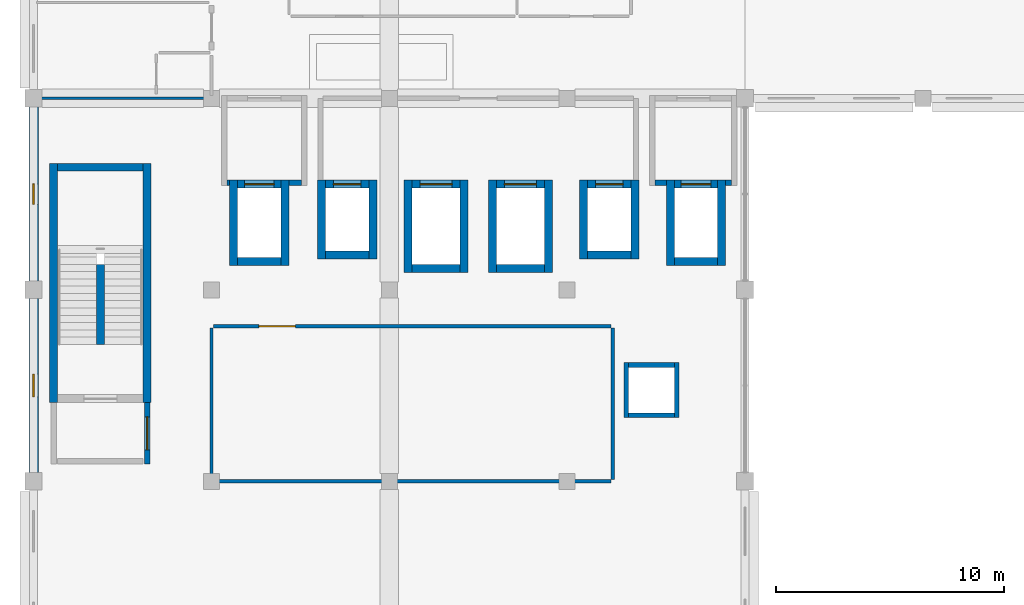
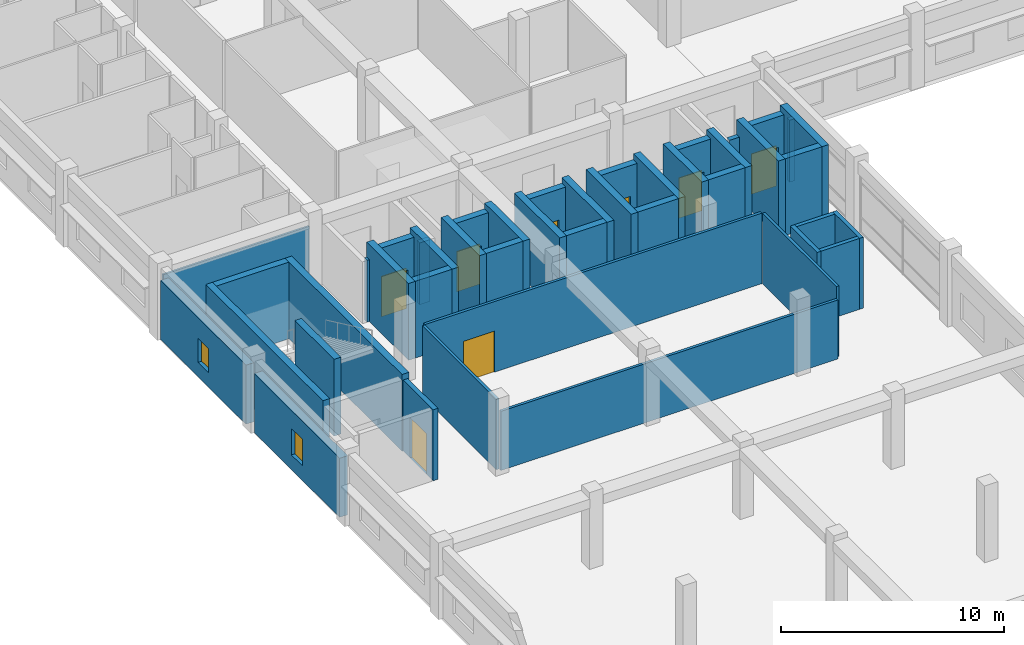
# One storey, part 28 of 53: 44 walls, 8 doors, 2 windows, 10 openings.
"""IFC4 building model written with IfcOpenShell, lengths in metres."""

import ifcopenshell
import ifcopenshell.guid

model = None  # the IFC model being written
_history = None  # IfcOwnerHistory: only IFC2X3 demands one
_inside = {}  # id of a spatial element -> (the spatial element, [elements in it])
_under = {}  # id of a project, library or spatial element -> (it, [spatial elements below it])
_declared = {}  # id of a project -> (the project, [libraries it declares])
_typed = {}  # id of a type object -> (the type object, [elements of that type])
_made_of = {}  # id of a material, layer set ... -> (it, [elements and type objects made of it])


def new_model(schema):
    """Start an empty IFC model of exactly this schema.

    Asked for "IFC4X3", IfcOpenShell would pick the latest addendum, in which some entities
    have other attributes; the version numbers below select the first issue.
    IFC2X3 requires an IfcOwnerHistory on every rooted entity: one is made here for all.
    """
    global model, _history
    if schema == "IFC4X3":
        model = ifcopenshell.file(schema_version=(4, 3, 0, 0))
    else:
        model = ifcopenshell.file(schema=schema)
    _inside.clear()
    _under.clear()
    _declared.clear()
    _typed.clear()
    _made_of.clear()
    _history = None
    if model.schema == "IFC2X3":
        org = make("IfcOrganization", Name="unknown")
        user = make(
            "IfcPersonAndOrganization",
            ThePerson=make("IfcPerson", FamilyName="unknown"),
            TheOrganization=org,
        )
        app = make(
            "IfcApplication",
            ApplicationDeveloper=org,
            Version="unknown",
            ApplicationFullName="unknown",
            ApplicationIdentifier="unknown",
        )
        _history = make(
            "IfcOwnerHistory",
            OwningUser=user,
            OwningApplication=app,
            ChangeAction="ADDED",
            CreationDate=0,
        )
    return model


def make(cls, **values):
    """One entity of the class cls with the attributes given. An attribute that is None is left unset."""
    return model.create_entity(
        cls, **{name: value for name, value in values.items() if value is not None}
    )


def rooted(cls, **values):
    """An entity with a GlobalId (a new one), such as an element, a storey or a relation."""
    return make(cls, GlobalId=ifcopenshell.guid.new(), OwnerHistory=_history, **values)


def si_unit(unit_type, name, prefix=None):
    """IfcSIUnit, for example si_unit("LENGTHUNIT", "METRE", prefix="MILLI")."""
    return make("IfcSIUnit", UnitType=unit_type, Prefix=prefix, Name=name)


def assignment(units):
    """IfcUnitAssignment: the units of a project."""
    return None if units is None else make("IfcUnitAssignment", Units=units)


def point(xyz):
    """IfcCartesianPoint."""
    return None if xyz is None else make("IfcCartesianPoint", Coordinates=xyz)


def direction(xyz):
    """IfcDirection."""
    return None if xyz is None else make("IfcDirection", DirectionRatios=xyz)


def frame(location, z_axis=None, x_axis=None):
    """IfcAxis2Placement3D, a coordinate frame: its origin and axes. An axis left out is left unset."""
    return make(
        "IfcAxis2Placement3D",
        Location=point(location),
        Axis=direction(z_axis),
        RefDirection=direction(x_axis),
    )


def frame_2d(location, x_axis=None):
    """IfcAxis2Placement2D, a coordinate frame in the plane: its origin and x axis."""
    return make(
        "IfcAxis2Placement2D", Location=point(location), RefDirection=direction(x_axis)
    )


def origin():
    """The frame at (0, 0, 0) with its axes left unset."""
    return frame((0.0, 0.0, 0.0))


def place(relative_to, where):
    """IfcLocalPlacement: puts the frame where relative to a parent placement (None: the world)."""
    return make(
        "IfcLocalPlacement", PlacementRelTo=relative_to, RelativePlacement=where
    )


def context(
    kind, dimensions, precision=None, world=None, true_north=None, identifier=None
):
    """IfcGeometricRepresentationContext, for example the 3D "Model" context."""
    return make(
        "IfcGeometricRepresentationContext",
        ContextIdentifier=identifier,
        ContextType=kind,
        CoordinateSpaceDimension=dimensions,
        Precision=precision,
        WorldCoordinateSystem=world,
        TrueNorth=true_north,
    )


def subcontext(parent, identifier, kind, view, scale=None):
    """IfcGeometricRepresentationSubContext, for example "Body" below "Model"."""
    return make(
        "IfcGeometricRepresentationSubContext",
        ContextIdentifier=identifier,
        ContextType=kind,
        ParentContext=parent,
        TargetScale=scale,
        TargetView=view,
    )


def project(units=None, contexts=None):
    """IfcProject with its units and contexts."""
    return rooted(
        "IfcProject",
        Name="project",
        RepresentationContexts=contexts,
        UnitsInContext=assignment(units),
    )


def spatial(cls, under=None, at=None, **own):
    """A site, building, storey or space (cls), placed at a placement, below another one or the project."""
    s = rooted(cls, ObjectPlacement=at, **own)
    if under is not None:
        _under.setdefault(under.id(), (under, []))[1].append(s)
    return s


def profile(cls, at=None, kind="AREA", **sizes):
    """A parametric profile (cls). Its sizes go by their IFC names, for example OverallWidth=200.0."""
    return make(cls, ProfileType=kind, Position=at, **sizes)


def rectangle(**sizes):
    """IfcRectangleProfileDef."""
    return profile("IfcRectangleProfileDef", **sizes)


def extrude(swept, where, along, depth):
    """IfcExtrudedAreaSolid: the profile swept, set in the frame where, extruded along a direction by depth."""
    return make(
        "IfcExtrudedAreaSolid",
        SweptArea=swept,
        Position=where,
        ExtrudedDirection=direction(along),
        Depth=depth,
    )


def shape(context_of_items, identifier, shape_type, items):
    """IfcShapeRepresentation: the items that make up one representation, for example the "Body"."""
    return make(
        "IfcShapeRepresentation",
        ContextOfItems=context_of_items,
        RepresentationIdentifier=identifier,
        RepresentationType=shape_type,
        Items=items,
    )


def material(Name=None, Category=None):
    """IfcMaterial."""
    return make("IfcMaterial", Name=Name, Category=Category)


def layer(
    of_material, thickness, ventilated=None, Name=None, Category=None, Priority=None
):
    """IfcMaterialLayer: one layer of a wall or slab, of a material (None: an air gap)."""
    return make(
        "IfcMaterialLayer",
        Material=of_material,
        LayerThickness=thickness,
        IsVentilated=ventilated,
        Name=Name,
        Category=Category,
        Priority=Priority,
    )


def layer_set(layers, Name=None):
    """IfcMaterialLayerSet."""
    return make("IfcMaterialLayerSet", MaterialLayers=layers, LayerSetName=Name)


def made_of(thing, what):
    """Note that an element or type object is made of a material, layer set ...; save() writes the relation."""
    if what is not None:
        _made_of.setdefault(what.id(), (what, []))[1].append(thing)
    return thing


def type_object(cls, material=None, **own):
    """A type object (cls), such as IfcWallType, which elements share."""
    return made_of(rooted(cls, **own), material)


def element(
    cls,
    number,
    at=None,
    inside=None,
    cuts=None,
    type_object=None,
    material=None,
    context=None,
    identifier="Body",
    shape_type=None,
    held_by="IfcProductDefinitionShape",
    body=None,
    shapes=None,
    **own,
):
    """One element of the class cls, such as IfcWall. Its Tag is "e" and its number.

    at: its placement. inside: the storey or other place that contains it. cuts: it is an
    opening in that element (IfcRelVoidsElement). A single representation is given by context,
    identifier, shape_type and body (its items); several are given by shapes. held_by: the class
    of the entity that holds the representations. save() writes the other relations.
    """
    e = rooted(cls, Tag="e%d" % number, ObjectPlacement=at, **own)
    if body is not None:
        shapes = [shape(context, identifier, shape_type, body)]
    if shapes is not None:
        e.Representation = make(held_by, Representations=shapes)
    if inside is not None:
        _inside.setdefault(inside.id(), (inside, []))[1].append(e)
    if cuts is not None:
        rooted(
            "IfcRelVoidsElement", RelatingBuildingElement=cuts, RelatedOpeningElement=e
        )
    if type_object is not None:
        _typed.setdefault(type_object.id(), (type_object, []))[1].append(e)
    return made_of(e, material)


def fill(opening, filler):
    """IfcRelFillsElement: the door or window that sits in an opening."""
    return rooted(
        "IfcRelFillsElement",
        RelatingOpeningElement=opening,
        RelatedBuildingElement=filler,
    )


def aggregate(whole, parts):
    """IfcRelAggregates: a whole, such as a stair, and the parts it consists of."""
    return rooted("IfcRelAggregates", RelatingObject=whole, RelatedObjects=parts)


def save(model, path):
    """Write the relations noted so far, then the file.

    IfcRelAggregates (storeys below a building ...), IfcRelContainedInSpatialStructure (elements
    in a storey), IfcRelDefinesByType, IfcRelAssociatesMaterial and IfcRelDeclares: one each for
    every whole, place, type object, material and project.
    """
    for whole, parts in _under.values():
        aggregate(whole, parts)
    for where, things in _inside.values():
        rooted(
            "IfcRelContainedInSpatialStructure",
            RelatedElements=things,
            RelatingStructure=where,
        )
    for kind, things in _typed.values():
        rooted("IfcRelDefinesByType", RelatedObjects=things, RelatingType=kind)
    for what, things in _made_of.values():
        rooted("IfcRelAssociatesMaterial", RelatedObjects=things, RelatingMaterial=what)
    for by, libraries in _declared.values():
        rooted("IfcRelDeclares", RelatingContext=by, RelatedDefinitions=libraries)
    model.write(path)


model = new_model("IFC4")

# Units and contexts
model_context = context("Model", 3, precision=1e-05, world=origin(), true_north=direction((0.0, 1.0)))
body_context = subcontext(model_context, "Body", "Model", "MODEL_VIEW")
ifc_project = project(units=[si_unit("LENGTHUNIT", "METRE"), si_unit("AREAUNIT", "SQUARE_METRE"), si_unit("VOLUMEUNIT", "CUBIC_METRE"), si_unit("PLANEANGLEUNIT", "RADIAN"), si_unit("MASSUNIT", "GRAM", prefix="KILO"), si_unit("THERMODYNAMICTEMPERATUREUNIT", "KELVIN"), si_unit("POWERUNIT", "WATT")], contexts=[model_context])

# Site, building, storey
site_placement = place(None, origin())
site = spatial("IfcSite", under=ifc_project, at=site_placement, CompositionType="ELEMENT")
building_placement = place(site_placement, origin())
building = spatial("IfcBuilding", under=site, at=building_placement, Name="Srebrne Nadtorze General Hospital", CompositionType="ELEMENT")
storey_placement = place(building_placement, frame((0.0, 0.0, 18.0)))
storey = spatial("IfcBuildingStorey", under=building, at=storey_placement, Name="L04", CompositionType="ELEMENT", Elevation=18.0)

# Wall, opening, window
ifc_material_1 = material(Name="Concrete C40/50", Category="concrete")
ifc_layer_1 = layer(ifc_material_1, 0.419921875)
ifc_layer_set_1 = layer_set([ifc_layer_1], Name="Concrete C40/50")
wall_type_1 = type_object("IfcWallType", Name="Acoustic buffer wall 420", PredefinedType="SOLIDWALL", material=ifc_layer_set_1)
wall_1_placement = place(storey_placement, frame((23.39990234375, 33.97509765625, 0.0), z_axis=(0.0, 0.0, 1.0), x_axis=(0.0, 1.0, 0.0)))
wall_1 = element("IfcWall", 1, at=wall_1_placement, inside=storey, type_object=wall_type_1, Name="Exterior wall WL-ENV-L04-0379", PredefinedType="SOLIDWALL", context=body_context, shape_type="SweptSolid", body=[
    extrude(rectangle(XDim=7.64990234375, YDim=0.419921875, at=frame_2d((3.824951171875, 0.0))), origin(), (0.0, 0.0, 1.0), 3.235107421875),
])
opening_1_placement = place(wall_1_placement, frame((3.324951171875, 0.0, 0.800048828125)))
opening_1 = element("IfcOpeningElement", 2, at=opening_1_placement, cuts=wall_1, Name="Opening WN-L04-0581", PredefinedType="OPENING", context=body_context, shape_type="SweptSolid", body=[
    extrude(rectangle(XDim=1.0, YDim=1.449951171875, at=frame_2d((0.5, 0.72509765625))), frame((0.0, 0.221923828125, 0.0), z_axis=(0.0, -1.0, 0.0), x_axis=(1.0, 0.0, 0.0)), (0.0, 0.0, 1.0), 0.44384765625),
])
ifc_material_2 = material(Name="Triple Low-E Glazing", Category="glass")
window_type_1 = type_object("IfcWindowType", Name="Punched clinical window 1000x1450", PartitioningType="SINGLE_PANEL", PredefinedType="WINDOW", material=ifc_material_2)
window_1_placement = place(opening_1_placement, origin())
window_1 = element("IfcWindow", 3, at=window_1_placement, inside=storey, type_object=window_type_1, Name="Clinical window WN-L04-0581", OverallHeight=1.449951171875, OverallWidth=1.0, PartitioningType="SINGLE_PANEL", PredefinedType="WINDOW", context=body_context, shape_type="SweptSolid", body=[
    extrude(rectangle(XDim=1.0, YDim=1.449951171875, at=frame_2d((0.5, 0.72509765625))), frame((0.0, 0.030029296875, 0.0), z_axis=(0.0, -1.0, 0.0), x_axis=(1.0, 0.0, 0.0)), (0.0, 0.0, 1.0), 0.06005859375),
])
fill(opening_1, window_1)

wall_2_placement = place(storey_placement, frame((23.39990234375, 42.375, 0.0), z_axis=(0.0, 0.0, 1.0), x_axis=(0.0, 1.0, 0.0)))
wall_2 = element("IfcWall", 4, at=wall_2_placement, inside=storey, type_object=wall_type_1, Name="Exterior wall WL-ENV-L04-0380", PredefinedType="SOLIDWALL", context=body_context, shape_type="SweptSolid", body=[
    extrude(rectangle(XDim=7.64990234375, YDim=0.419921875, at=frame_2d((3.824951171875, 0.0))), origin(), (0.0, 0.0, 1.0), 3.235107421875),
])
opening_2_placement = place(wall_2_placement, frame((3.375, 0.0, 0.800048828125)))
opening_2 = element("IfcOpeningElement", 5, at=opening_2_placement, cuts=wall_2, Name="Opening WN-L04-0582", PredefinedType="OPENING", context=body_context, shape_type="SweptSolid", body=[
    extrude(rectangle(XDim=0.89990234375, YDim=1.300048828125, at=frame_2d((0.449951171875, 0.64990234375))), frame((0.0, 0.221923828125, 0.0), z_axis=(0.0, -1.0, 0.0), x_axis=(1.0, 0.0, 0.0)), (0.0, 0.0, 1.0), 0.44384765625),
])
ifc_material_3 = material(Name="Triple Low-E Glazing", Category="glass")
window_type_2 = type_object("IfcWindowType", Name="Punched clinical window 900x1300", PartitioningType="SINGLE_PANEL", PredefinedType="WINDOW", material=ifc_material_3)
window_2_placement = place(opening_2_placement, origin())
window_2 = element("IfcWindow", 6, at=window_2_placement, inside=storey, type_object=window_type_2, Name="Clinical window WN-L04-0582", OverallHeight=1.300048828125, OverallWidth=0.89990234375, PartitioningType="SINGLE_PANEL", PredefinedType="WINDOW", context=body_context, shape_type="SweptSolid", body=[
    extrude(rectangle(XDim=0.89990234375, YDim=1.300048828125, at=frame_2d((0.449951171875, 0.64990234375))), frame((0.0, 0.030029296875, 0.0), z_axis=(0.0, -1.0, 0.0), x_axis=(1.0, 0.0, 0.0)), (0.0, 0.0, 1.0), 0.06005859375),
])
fill(opening_2, window_2)

# Wall, opening, door
ifc_material_4 = material(Name="Gypsum Healthcare Partition")
ifc_layer_2 = layer(ifc_material_4, 0.139892578125)
ifc_layer_set_2 = layer_set([ifc_layer_2], Name="Gypsum Healthcare Partition")
wall_type_2 = type_object("IfcWallType", Name="Clinical partition 140", PredefinedType="PARTITIONING", material=ifc_layer_set_2)
wall_3_placement = place(storey_placement, frame((31.284912109375, 40.39990234375, 0.0), z_axis=(0.0, 0.0, 1.0), x_axis=(1.0, 0.0, 0.0)))
wall_3 = element("IfcWall", 7, at=wall_3_placement, inside=storey, type_object=wall_type_2, Name="Ward Procedure and Day Lounge wall WL-INT-L04-1832", PredefinedType="PARTITIONING", context=body_context, shape_type="SweptSolid", body=[
    extrude(rectangle(XDim=17.43017578125, YDim=0.139892578125, at=frame_2d((8.715087890625, 0.0))), origin(), (0.0, 0.0, 1.0), 3.864990234375),
])
opening_3_placement = place(wall_3_placement, frame((1.991943359375, 0.0, 0.0)))
opening_3 = element("IfcOpeningElement", 8, at=opening_3_placement, cuts=wall_3, Name="Opening D-L04-0347", PredefinedType="OPENING", context=body_context, shape_type="SweptSolid", body=[
    extrude(rectangle(XDim=1.60009765625, YDim=2.25, at=frame_2d((0.800048828125, 1.125))), frame((0.0, 0.08203125, 0.0), z_axis=(0.0, -1.0, 0.0), x_axis=(1.0, 0.0, 0.0)), (0.0, 0.0, 1.0), 0.163818359375),
])
ifc_material_5 = material(Name="Anodised Aluminium", Category="aluminium")
door_type_1 = type_object("IfcDoorType", Name="Double leaf door 1600x2250", OperationType="DOUBLE_DOOR_SINGLE_SWING", PredefinedType="DOOR", material=ifc_material_5)
door_1_placement = place(opening_3_placement, frame((1.60009765625, 0.0, 0.0), z_axis=(0.0, 0.0, 1.0), x_axis=(-1.0, 0.0, 0.0)))
door_1 = element("IfcDoor", 9, at=door_1_placement, inside=storey, type_object=door_type_1, Name="Ward Procedure and Day Lounge door D-L04-0347", OperationType="DOUBLE_DOOR_SINGLE_SWING", OverallHeight=2.25, OverallWidth=1.60009765625, PredefinedType="DOOR", context=body_context, shape_type="SweptSolid", body=[
    extrude(rectangle(XDim=1.60009765625, YDim=2.25, at=frame_2d((0.800048828125, 1.125))), frame((0.0, 0.02490234375, 0.0), z_axis=(0.0, -1.0, 0.0), x_axis=(1.0, 0.0, 0.0)), (0.0, 0.0, 1.0), 0.050048828125),
])
fill(opening_3, door_1)

# Walls
wall_4_placement = place(storey_placement, frame((31.284912109375, 33.60009765625, 0.0), z_axis=(0.0, 0.0, 1.0), x_axis=(1.0, 0.0, 0.0)))
element("IfcWall", 10, at=wall_4_placement, inside=storey, type_object=wall_type_2, Name="Ward Procedure and Day Lounge wall WL-INT-L04-1833", PredefinedType="PARTITIONING", context=body_context, shape_type="SweptSolid", body=[
    extrude(rectangle(XDim=17.43017578125, YDim=0.139892578125, at=frame_2d((8.715087890625, 0.0))), origin(), (0.0, 0.0, 1.0), 3.235107421875),
])
for number, where, z_axis, x_axis, name in (
    (11, (31.199951171875, 33.68505859375, 0.0), (0.0, 0.0, 1.0), (0.0, 1.0, 0.0), "Ward Procedure and Day Lounge wall WL-INT-L04-1834"),
    (12, (48.800048828125, 33.68505859375, 0.0), (0.0, 0.0, 1.0), (0.0, 1.0, 0.0), "Ward Procedure and Day Lounge wall WL-INT-L04-1835"),
):
    element("IfcWall", number, at=place(storey_placement, frame(where, z_axis=z_axis, x_axis=x_axis)), inside=storey, type_object=wall_type_2, Name=name, PredefinedType="PARTITIONING", context=body_context, shape_type="SweptSolid", body=[
        extrude(rectangle(XDim=6.6298828125, YDim=0.139892578125, at=frame_2d((3.31494140625, 0.0))), origin(), (0.0, 0.0, 1.0), 3.864990234375),
    ])
ifc_material_6 = material(Name="Gypsum Healthcare Partition")
ifc_layer_3 = layer(ifc_material_6, 0.199951171875)
ifc_layer_set_3 = layer_set([ifc_layer_3], Name="Gypsum Healthcare Partition")
wall_type_3 = type_object("IfcWallType", Name="Compartment wall 200", PredefinedType="STANDARD", material=ifc_layer_set_3)
for number, where, z_axis, x_axis, name in (
    (13, (49.39990234375, 36.39990234375, 0.0), (0.0, 0.0, 1.0), (0.0, 1.0, 0.0), "MEP riser wall WL-INT-L04-1076"),
    (14, (51.60009765625, 36.39990234375, 0.0), (0.0, 0.0, 1.0), (0.0, 1.0, 0.0), "MEP riser wall WL-INT-L04-1077"),
):
    element("IfcWall", number, at=place(storey_placement, frame(where, z_axis=z_axis, x_axis=x_axis)), inside=storey, type_object=wall_type_3, Name=name, PredefinedType="STANDARD", context=body_context, shape_type="SweptSolid", body=[
        extrude(rectangle(XDim=2.400146484375, YDim=0.199951171875, at=frame_2d((1.2001953125, 0.0))), origin(), (0.0, 0.0, 1.0), 3.885009765625),
    ])
for number, where, z_axis, x_axis, name in (
    (15, (49.5, 36.5, 0.0), (0.0, 0.0, 1.0), (1.0, 0.0, 0.0), "MEP riser wall WL-INT-L04-1078"),
    (16, (49.5, 38.699951171875, 0.0), (0.0, 0.0, 1.0), (1.0, 0.0, 0.0), "MEP riser wall WL-INT-L04-1079"),
):
    element("IfcWall", number, at=place(storey_placement, frame(where, z_axis=z_axis, x_axis=x_axis)), inside=storey, type_object=wall_type_3, Name=name, PredefinedType="STANDARD", context=body_context, shape_type="SweptSolid", body=[
        extrude(rectangle(XDim=2.0, YDim=0.199951171875, at=frame_2d((1.0, 0.0))), origin(), (0.0, 0.0, 1.0), 3.885009765625),
    ])

# Wall, opening, door
ifc_material_7 = material(Name="Gypsum Healthcare Partition")
ifc_layer_4 = layer(ifc_material_7, 0.239990234375)
ifc_layer_set_4 = layer_set([ifc_layer_4], Name="Gypsum Healthcare Partition")
wall_type_4 = type_object("IfcWallType", Name="Corridor fire wall 240", PredefinedType="STANDARD", material=ifc_layer_set_4)
wall_5_placement = place(storey_placement, frame((28.375, 34.35498046875, 0.0), z_axis=(0.0, 0.0, 1.0), x_axis=(0.0, 1.0, 0.0)))
wall_5 = element("IfcWall", 17, at=wall_5_placement, inside=storey, type_object=wall_type_4, Name="Fire lobby wall ST-01 WL-INT-L04-0294", PredefinedType="STANDARD", context=body_context, shape_type="SweptSolid", body=[
    extrude(rectangle(XDim=2.695068359375, YDim=0.239990234375, at=frame_2d((1.34765625, 0.0))), origin(), (0.0, 0.0, 1.0), 3.885009765625),
])
opening_4_placement = place(wall_5_placement, frame((0.62255859375, 0.0, 0.0)))
opening_4 = element("IfcOpeningElement", 18, at=opening_4_placement, cuts=wall_5, Name="Opening D-L04-0074", PredefinedType="OPENING", context=body_context, shape_type="SweptSolid", body=[
    extrude(rectangle(XDim=1.449951171875, YDim=2.199951171875, at=frame_2d((0.72509765625, 1.10009765625))), frame((0.0, 0.1318359375, 0.0), z_axis=(0.0, -1.0, 0.0), x_axis=(1.0, 0.0, 0.0)), (0.0, 0.0, 1.0), 0.263916015625),
])
ifc_material_8 = material(Name="Anodised Aluminium", Category="aluminium")
door_type_2 = type_object("IfcDoorType", Name="Double leaf door 1450x2200", OperationType="DOUBLE_DOOR_SINGLE_SWING", PredefinedType="DOOR", material=ifc_material_8)
door_2_placement = place(opening_4_placement, origin())
door_2 = element("IfcDoor", 19, at=door_2_placement, inside=storey, type_object=door_type_2, Name="Fire lobby door ST-01 D-L04-0074", OperationType="DOUBLE_DOOR_SINGLE_SWING", OverallHeight=2.199951171875, OverallWidth=1.449951171875, PredefinedType="DOOR", context=body_context, shape_type="SweptSolid", body=[
    extrude(rectangle(XDim=1.449951171875, YDim=2.199951171875, at=frame_2d((0.72509765625, 1.10009765625))), frame((0.0, 0.02490234375, 0.0), z_axis=(0.0, -1.0, 0.0), x_axis=(1.0, 0.0, 0.0)), (0.0, 0.0, 1.0), 0.050048828125),
])
fill(opening_4, door_2)

# Walls
wall_6_placement = place(storey_placement, frame((31.8798828125, 46.68994140625, 0.0), z_axis=(0.0, 0.0, 1.0), x_axis=(1.0, 0.0, 0.0)))
element("IfcWall", 20, at=wall_6_placement, inside=storey, type_object=wall_type_4, Name="FF lift lobby return wall WL-INT-L04-1057", PredefinedType="STANDARD", context=body_context, shape_type="SweptSolid", body=[
    extrude(rectangle(XDim=0.1201171875, YDim=0.239990234375, at=frame_2d((0.06005859375, 0.0))), origin(), (0.0, 0.0, 1.0), 3.385009765625),
])
wall_7_placement = place(storey_placement, frame((34.60009765625, 46.68994140625, 0.0), z_axis=(0.0, 0.0, 1.0), x_axis=(1.0, 0.0, 0.0)))
element("IfcWall", 21, at=wall_7_placement, inside=storey, type_object=wall_type_4, Name="FF lift lobby return wall WL-INT-L04-1058", PredefinedType="STANDARD", context=body_context, shape_type="SweptSolid", body=[
    extrude(rectangle(XDim=0.5498046875, YDim=0.239990234375, at=frame_2d((0.27490234375, 0.0))), origin(), (0.0, 0.0, 1.0), 3.385009765625),
])
wall_8_placement = place(storey_placement, frame((50.64990234375, 46.68994140625, 0.0), z_axis=(0.0, 0.0, 1.0), x_axis=(1.0, 0.0, 0.0)))
element("IfcWall", 22, at=wall_8_placement, inside=storey, type_object=wall_type_4, Name="FF lift lobby return wall WL-INT-L04-1062", PredefinedType="STANDARD", context=body_context, shape_type="SweptSolid", body=[
    extrude(rectangle(XDim=0.5, YDim=0.239990234375, at=frame_2d((0.25, 0.0))), origin(), (0.0, 0.0, 1.0), 3.385009765625),
])
wall_9_placement = place(storey_placement, frame((53.75, 46.68994140625, 0.0), z_axis=(0.0, 0.0, 1.0), x_axis=(1.0, 0.0, 0.0)))
element("IfcWall", 23, at=wall_9_placement, inside=storey, type_object=wall_type_4, Name="FF lift lobby return wall WL-INT-L04-1063", PredefinedType="STANDARD", context=body_context, shape_type="SweptSolid", body=[
    extrude(rectangle(XDim=0.27001953125, YDim=0.239990234375, at=frame_2d((0.135009765625, 0.0))), origin(), (0.0, 0.0, 1.0), 3.385009765625),
])
ifc_material_9 = material(Name="Gypsum Healthcare Partition")
ifc_layer_5 = layer(ifc_material_9, 0.10009765625)
ifc_layer_set_5 = layer_set([ifc_layer_5], Name="Gypsum Healthcare Partition")
wall_type_5 = type_object("IfcWallType", Name="Shaft lining wall 100", PredefinedType="PARTITIONING", material=ifc_layer_set_5)
wall_10_placement = place(storey_placement, frame((23.52001953125, 50.39990234375, 0.0), z_axis=(0.0, 0.0, 1.0), x_axis=(1.0, 0.0, 0.0)))
element("IfcWall", 24, at=wall_10_placement, inside=storey, type_object=wall_type_5, Name="Ward inter-room partition WL-INT-L04-1694", PredefinedType="PARTITIONING", context=body_context, shape_type="SweptSolid", body=[
    extrude(rectangle(XDim=7.56005859375, YDim=0.10009765625, at=frame_2d((3.780029296875, 0.0))), origin(), (0.0, 0.0, 1.0), 3.235107421875),
])
ifc_material_10 = material(Name="Concrete C40/50", Category="concrete")
ifc_layer_6 = layer(ifc_material_10, 0.35009765625)
ifc_layer_set_6 = layer_set([ifc_layer_6], Name="Concrete C40/50")
wall_type_6 = type_object("IfcWallType", Name="Shear core wall 350", PredefinedType="SHEAR", material=ifc_layer_set_6)
for number, where, z_axis, x_axis, name in (
    (25, (24.27490234375, 37.050048828125, 0.0), (0.0, 0.0, 1.0), (0.0, 1.0, 0.0), "Stair core wall ST-01 WL-INT-L04-0289"),
    (26, (28.375, 37.050048828125, 0.0), (0.0, 0.0, 1.0), (0.0, 1.0, 0.0), "Stair core wall ST-01 WL-INT-L04-0290"),
):
    element("IfcWall", number, at=place(storey_placement, frame(where, z_axis=z_axis, x_axis=x_axis)), inside=storey, type_object=wall_type_6, Name=name, PredefinedType="SHEAR", context=body_context, shape_type="SweptSolid", body=[
        extrude(rectangle(XDim=10.5, YDim=0.35009765625, at=frame_2d((5.25, 0.0))), origin(), (0.0, 0.0, 1.0), 4.199951171875),
    ])
wall_11_placement = place(storey_placement, frame((24.449951171875, 47.375, 0.0), z_axis=(0.0, 0.0, 1.0), x_axis=(1.0, 0.0, 0.0)))
element("IfcWall", 27, at=wall_11_placement, inside=storey, type_object=wall_type_6, Name="Stair core wall ST-01 WL-INT-L04-0291", PredefinedType="SHEAR", context=body_context, shape_type="SweptSolid", body=[
    extrude(rectangle(XDim=3.75, YDim=0.35009765625, at=frame_2d((1.875, 0.0))), origin(), (0.0, 0.0, 1.0), 4.199951171875),
])
wall_12_placement = place(storey_placement, frame((26.324951171875, 39.60009765625, 0.0), z_axis=(0.0, 0.0, 1.0), x_axis=(0.0, 1.0, 0.0)))
element("IfcWall", 28, at=wall_12_placement, inside=storey, type_object=wall_type_6, Name="Stair spine wall ST-01 WL-INT-L04-0296", PredefinedType="SHEAR", context=body_context, shape_type="SweptSolid", body=[
    extrude(rectangle(XDim=3.52001953125, YDim=0.35009765625, at=frame_2d((1.760009765625, 0.0))), origin(), (0.0, 0.0, 1.0), 4.199951171875),
])
for number, where, z_axis, x_axis, name in (
    (29, (32.175048828125, 43.06005859375, 0.0), (0.0, 0.0, 1.0), (0.0, 1.0, 0.0), "Lift shaft wall FL-01 WL-INT-L04-0486"),
    (30, (34.425048828125, 43.06005859375, 0.0), (0.0, 0.0, 1.0), (0.0, 1.0, 0.0), "Lift shaft wall FL-01 WL-INT-L04-0487"),
):
    element("IfcWall", number, at=place(storey_placement, frame(where, z_axis=z_axis, x_axis=x_axis)), inside=storey, type_object=wall_type_6, Name=name, PredefinedType="SHEAR", context=body_context, shape_type="SweptSolid", body=[
        extrude(rectangle(XDim=3.75, YDim=0.35009765625, at=frame_2d((1.875, 0.0))), origin(), (0.0, 0.0, 1.0), 4.199951171875),
    ])
wall_13_placement = place(storey_placement, frame((32.35009765625, 43.235107421875, 0.0), z_axis=(0.0, 0.0, 1.0), x_axis=(1.0, 0.0, 0.0)))
element("IfcWall", 31, at=wall_13_placement, inside=storey, type_object=wall_type_6, Name="Lift shaft back wall FL-01 WL-INT-L04-0488", PredefinedType="SHEAR", context=body_context, shape_type="SweptSolid", body=[
    extrude(rectangle(XDim=1.89990234375, YDim=0.35009765625, at=frame_2d((0.949951171875, 0.0))), origin(), (0.0, 0.0, 1.0), 4.199951171875),
])

# Wall, opening, door
wall_14_placement = place(storey_placement, frame((32.35009765625, 46.635009765625, 0.0), z_axis=(0.0, 0.0, 1.0), x_axis=(1.0, 0.0, 0.0)))
wall_14 = element("IfcWall", 32, at=wall_14_placement, inside=storey, type_object=wall_type_6, Name="Lift shaft front wall FL-01 WL-INT-L04-0489", PredefinedType="SHEAR", context=body_context, shape_type="SweptSolid", body=[
    extrude(rectangle(XDim=1.89990234375, YDim=0.35009765625, at=frame_2d((0.949951171875, 0.0))), origin(), (0.0, 0.0, 1.0), 3.885009765625),
])
opening_5_placement = place(wall_14_placement, frame((0.300048828125, 0.0, 0.0)))
opening_5 = element("IfcOpeningElement", 33, at=opening_5_placement, cuts=wall_14, Name="Opening LD-L04-006", PredefinedType="OPENING", context=body_context, shape_type="SweptSolid", body=[
    extrude(rectangle(XDim=1.300048828125, YDim=2.199951171875, at=frame_2d((0.64990234375, 1.10009765625))), frame((0.0, 0.18701171875, 0.0), z_axis=(0.0, -1.0, 0.0), x_axis=(1.0, 0.0, 0.0)), (0.0, 0.0, 1.0), 0.3740234375),
])
ifc_material_11 = material(Name="Anodised Aluminium", Category="aluminium")
door_type_3 = type_object("IfcDoorType", Name="Sliding lift door 1300x2200", OperationType="SLIDING_TO_LEFT", PredefinedType="DOOR", material=ifc_material_11)
door_3_placement = place(opening_5_placement, origin())
door_3 = element("IfcDoor", 34, at=door_3_placement, inside=storey, type_object=door_type_3, Name="Lift Landing Door LD-L04-006", OperationType="SLIDING_TO_LEFT", OverallHeight=2.199951171875, OverallWidth=1.300048828125, PredefinedType="DOOR", context=body_context, shape_type="SweptSolid", body=[
    extrude(rectangle(XDim=1.300048828125, YDim=2.199951171875, at=frame_2d((0.64990234375, 1.10009765625))), frame((0.0, 0.02490234375, 0.0), z_axis=(0.0, -1.0, 0.0), x_axis=(1.0, 0.0, 0.0)), (0.0, 0.0, 1.0), 0.050048828125),
])
fill(opening_5, door_3)

# Walls
for number, where, z_axis, x_axis, name in (
    (35, (36.02490234375, 43.360107421875, 0.0), (0.0, 0.0, 1.0), (0.0, 1.0, 0.0), "Lift shaft wall LP-01 WL-INT-L04-0526"),
    (36, (38.27490234375, 43.360107421875, 0.0), (0.0, 0.0, 1.0), (0.0, 1.0, 0.0), "Lift shaft wall LP-01 WL-INT-L04-0527"),
):
    element("IfcWall", number, at=place(storey_placement, frame(where, z_axis=z_axis, x_axis=x_axis)), inside=storey, type_object=wall_type_6, Name=name, PredefinedType="SHEAR", context=body_context, shape_type="SweptSolid", body=[
        extrude(rectangle(XDim=3.449951171875, YDim=0.35009765625, at=frame_2d((1.72509765625, 0.0))), origin(), (0.0, 0.0, 1.0), 4.199951171875),
    ])
wall_15_placement = place(storey_placement, frame((36.199951171875, 43.534912109375, 0.0), z_axis=(0.0, 0.0, 1.0), x_axis=(1.0, 0.0, 0.0)))
element("IfcWall", 37, at=wall_15_placement, inside=storey, type_object=wall_type_6, Name="Lift shaft back wall LP-01 WL-INT-L04-0528", PredefinedType="SHEAR", context=body_context, shape_type="SweptSolid", body=[
    extrude(rectangle(XDim=1.900146484375, YDim=0.35009765625, at=frame_2d((0.9501953125, 0.0))), origin(), (0.0, 0.0, 1.0), 4.199951171875),
])

# Wall, opening, door
wall_16_placement = place(storey_placement, frame((36.199951171875, 46.635009765625, 0.0), z_axis=(0.0, 0.0, 1.0), x_axis=(1.0, 0.0, 0.0)))
wall_16 = element("IfcWall", 38, at=wall_16_placement, inside=storey, type_object=wall_type_6, Name="Lift shaft front wall LP-01 WL-INT-L04-0529", PredefinedType="SHEAR", context=body_context, shape_type="SweptSolid", body=[
    extrude(rectangle(XDim=1.900146484375, YDim=0.35009765625, at=frame_2d((0.9501953125, 0.0))), origin(), (0.0, 0.0, 1.0), 3.885009765625),
])
opening_6_placement = place(wall_16_placement, frame((0.35009765625, 0.0, 0.0)))
opening_6 = element("IfcOpeningElement", 39, at=opening_6_placement, cuts=wall_16, Name="Opening LD-L04-016", PredefinedType="OPENING", context=body_context, shape_type="SweptSolid", body=[
    extrude(rectangle(XDim=1.199951171875, YDim=2.199951171875, at=frame_2d((0.60009765625, 1.10009765625))), frame((0.0, 0.18701171875, 0.0), z_axis=(0.0, -1.0, 0.0), x_axis=(1.0, 0.0, 0.0)), (0.0, 0.0, 1.0), 0.3740234375),
])
ifc_material_12 = material(Name="Anodised Aluminium", Category="aluminium")
door_type_4 = type_object("IfcDoorType", Name="Sliding lift door 1200x2200", OperationType="SLIDING_TO_LEFT", PredefinedType="DOOR", material=ifc_material_12)
door_4_placement = place(opening_6_placement, origin())
door_4 = element("IfcDoor", 40, at=door_4_placement, inside=storey, type_object=door_type_4, Name="Lift Landing Door LD-L04-016", OperationType="SLIDING_TO_LEFT", OverallHeight=2.199951171875, OverallWidth=1.199951171875, PredefinedType="DOOR", context=body_context, shape_type="SweptSolid", body=[
    extrude(rectangle(XDim=1.199951171875, YDim=2.199951171875, at=frame_2d((0.60009765625, 1.10009765625))), frame((0.0, 0.02490234375, 0.0), z_axis=(0.0, -1.0, 0.0), x_axis=(1.0, 0.0, 0.0)), (0.0, 0.0, 1.0), 0.050048828125),
])
fill(opening_6, door_4)

# Walls
for number, where, z_axis, x_axis, name in (
    (41, (39.824951171875, 42.760009765625, 0.0), (0.0, 0.0, 1.0), (0.0, 1.0, 0.0), "Lift shaft wall LS-01 WL-INT-L04-0562"),
    (42, (42.27490234375, 42.760009765625, 0.0), (0.0, 0.0, 1.0), (0.0, 1.0, 0.0), "Lift shaft wall LS-01 WL-INT-L04-0563"),
):
    element("IfcWall", number, at=place(storey_placement, frame(where, z_axis=z_axis, x_axis=x_axis)), inside=storey, type_object=wall_type_6, Name=name, PredefinedType="SHEAR", context=body_context, shape_type="SweptSolid", body=[
        extrude(rectangle(XDim=4.050048828125, YDim=0.35009765625, at=frame_2d((2.02490234375, 0.0))), origin(), (0.0, 0.0, 1.0), 4.199951171875),
    ])
wall_17_placement = place(storey_placement, frame((40.0, 42.93505859375, 0.0), z_axis=(0.0, 0.0, 1.0), x_axis=(1.0, 0.0, 0.0)))
element("IfcWall", 43, at=wall_17_placement, inside=storey, type_object=wall_type_6, Name="Lift shaft back wall LS-01 WL-INT-L04-0564", PredefinedType="SHEAR", context=body_context, shape_type="SweptSolid", body=[
    extrude(rectangle(XDim=2.10009765625, YDim=0.35009765625, at=frame_2d((1.050048828125, 0.0))), origin(), (0.0, 0.0, 1.0), 4.199951171875),
])

# Wall, opening, door
wall_18_placement = place(storey_placement, frame((40.0, 46.635009765625, 0.0), z_axis=(0.0, 0.0, 1.0), x_axis=(1.0, 0.0, 0.0)))
wall_18 = element("IfcWall", 44, at=wall_18_placement, inside=storey, type_object=wall_type_6, Name="Lift shaft front wall LS-01 WL-INT-L04-0565", PredefinedType="SHEAR", context=body_context, shape_type="SweptSolid", body=[
    extrude(rectangle(XDim=2.10009765625, YDim=0.35009765625, at=frame_2d((1.050048828125, 0.0))), origin(), (0.0, 0.0, 1.0), 3.885009765625),
])
opening_7_placement = place(wall_18_placement, frame((0.35009765625, 0.0, 0.0)))
opening_7 = element("IfcOpeningElement", 45, at=opening_7_placement, cuts=wall_18, Name="Opening LD-L04-025", PredefinedType="OPENING", context=body_context, shape_type="SweptSolid", body=[
    extrude(rectangle(XDim=1.39990234375, YDim=2.199951171875, at=frame_2d((0.699951171875, 1.10009765625))), frame((0.0, 0.18701171875, 0.0), z_axis=(0.0, -1.0, 0.0), x_axis=(1.0, 0.0, 0.0)), (0.0, 0.0, 1.0), 0.3740234375),
])
ifc_material_13 = material(Name="Anodised Aluminium", Category="aluminium")
door_type_5 = type_object("IfcDoorType", Name="Sliding lift door 1400x2200", OperationType="SLIDING_TO_LEFT", PredefinedType="DOOR", material=ifc_material_13)
door_5_placement = place(opening_7_placement, origin())
door_5 = element("IfcDoor", 46, at=door_5_placement, inside=storey, type_object=door_type_5, Name="Lift Landing Door LD-L04-025", OperationType="SLIDING_TO_LEFT", OverallHeight=2.199951171875, OverallWidth=1.39990234375, PredefinedType="DOOR", context=body_context, shape_type="SweptSolid", body=[
    extrude(rectangle(XDim=1.39990234375, YDim=2.199951171875, at=frame_2d((0.699951171875, 1.10009765625))), frame((0.0, 0.02490234375, 0.0), z_axis=(0.0, -1.0, 0.0), x_axis=(1.0, 0.0, 0.0)), (0.0, 0.0, 1.0), 0.050048828125),
])
fill(opening_7, door_5)

# Walls
for number, where, z_axis, x_axis, name in (
    (47, (43.52490234375, 42.760009765625, 0.0), (0.0, 0.0, 1.0), (0.0, 1.0, 0.0), "Lift shaft wall LS-02 WL-INT-L04-0602"),
    (48, (45.97509765625, 42.760009765625, 0.0), (0.0, 0.0, 1.0), (0.0, 1.0, 0.0), "Lift shaft wall LS-02 WL-INT-L04-0603"),
):
    element("IfcWall", number, at=place(storey_placement, frame(where, z_axis=z_axis, x_axis=x_axis)), inside=storey, type_object=wall_type_6, Name=name, PredefinedType="SHEAR", context=body_context, shape_type="SweptSolid", body=[
        extrude(rectangle(XDim=4.050048828125, YDim=0.35009765625, at=frame_2d((2.02490234375, 0.0))), origin(), (0.0, 0.0, 1.0), 4.199951171875),
    ])
wall_19_placement = place(storey_placement, frame((43.699951171875, 42.93505859375, 0.0), z_axis=(0.0, 0.0, 1.0), x_axis=(1.0, 0.0, 0.0)))
element("IfcWall", 49, at=wall_19_placement, inside=storey, type_object=wall_type_6, Name="Lift shaft back wall LS-02 WL-INT-L04-0604", PredefinedType="SHEAR", context=body_context, shape_type="SweptSolid", body=[
    extrude(rectangle(XDim=2.10009765625, YDim=0.35009765625, at=frame_2d((1.050048828125, 0.0))), origin(), (0.0, 0.0, 1.0), 4.199951171875),
])

# Wall, opening, door
wall_20_placement = place(storey_placement, frame((43.699951171875, 46.635009765625, 0.0), z_axis=(0.0, 0.0, 1.0), x_axis=(1.0, 0.0, 0.0)))
wall_20 = element("IfcWall", 50, at=wall_20_placement, inside=storey, type_object=wall_type_6, Name="Lift shaft front wall LS-02 WL-INT-L04-0605", PredefinedType="SHEAR", context=body_context, shape_type="SweptSolid", body=[
    extrude(rectangle(XDim=2.10009765625, YDim=0.35009765625, at=frame_2d((1.050048828125, 0.0))), origin(), (0.0, 0.0, 1.0), 3.885009765625),
])
opening_8_placement = place(wall_20_placement, frame((0.35009765625, 0.0, 0.0)))
opening_8 = element("IfcOpeningElement", 51, at=opening_8_placement, cuts=wall_20, Name="Opening LD-L04-035", PredefinedType="OPENING", context=body_context, shape_type="SweptSolid", body=[
    extrude(rectangle(XDim=1.39990234375, YDim=2.199951171875, at=frame_2d((0.699951171875, 1.10009765625))), frame((0.0, 0.18701171875, 0.0), z_axis=(0.0, -1.0, 0.0), x_axis=(1.0, 0.0, 0.0)), (0.0, 0.0, 1.0), 0.3740234375),
])
door_6_placement = place(opening_8_placement, origin())
door_6 = element("IfcDoor", 52, at=door_6_placement, inside=storey, type_object=door_type_5, Name="Lift Landing Door LD-L04-035", OperationType="SLIDING_TO_LEFT", OverallHeight=2.199951171875, OverallWidth=1.39990234375, PredefinedType="DOOR", context=body_context, shape_type="SweptSolid", body=[
    extrude(rectangle(XDim=1.39990234375, YDim=2.199951171875, at=frame_2d((0.699951171875, 1.10009765625))), frame((0.0, 0.02490234375, 0.0), z_axis=(0.0, -1.0, 0.0), x_axis=(1.0, 0.0, 0.0)), (0.0, 0.0, 1.0), 0.050048828125),
])
fill(opening_8, door_6)

# Walls
for number, where, z_axis, x_axis, name in (
    (53, (47.52490234375, 43.360107421875, 0.0), (0.0, 0.0, 1.0), (0.0, 1.0, 0.0), "Lift shaft wall LP-02 WL-INT-L04-0642"),
    (54, (49.77490234375, 43.360107421875, 0.0), (0.0, 0.0, 1.0), (0.0, 1.0, 0.0), "Lift shaft wall LP-02 WL-INT-L04-0643"),
):
    element("IfcWall", number, at=place(storey_placement, frame(where, z_axis=z_axis, x_axis=x_axis)), inside=storey, type_object=wall_type_6, Name=name, PredefinedType="SHEAR", context=body_context, shape_type="SweptSolid", body=[
        extrude(rectangle(XDim=3.449951171875, YDim=0.35009765625, at=frame_2d((1.72509765625, 0.0))), origin(), (0.0, 0.0, 1.0), 4.199951171875),
    ])
wall_21_placement = place(storey_placement, frame((47.699951171875, 43.534912109375, 0.0), z_axis=(0.0, 0.0, 1.0), x_axis=(1.0, 0.0, 0.0)))
element("IfcWall", 55, at=wall_21_placement, inside=storey, type_object=wall_type_6, Name="Lift shaft back wall LP-02 WL-INT-L04-0644", PredefinedType="SHEAR", context=body_context, shape_type="SweptSolid", body=[
    extrude(rectangle(XDim=1.900146484375, YDim=0.35009765625, at=frame_2d((0.9501953125, 0.0))), origin(), (0.0, 0.0, 1.0), 4.199951171875),
])

# Wall, opening, door
wall_22_placement = place(storey_placement, frame((47.699951171875, 46.635009765625, 0.0), z_axis=(0.0, 0.0, 1.0), x_axis=(1.0, 0.0, 0.0)))
wall_22 = element("IfcWall", 56, at=wall_22_placement, inside=storey, type_object=wall_type_6, Name="Lift shaft front wall LP-02 WL-INT-L04-0645", PredefinedType="SHEAR", context=body_context, shape_type="SweptSolid", body=[
    extrude(rectangle(XDim=1.900146484375, YDim=0.35009765625, at=frame_2d((0.9501953125, 0.0))), origin(), (0.0, 0.0, 1.0), 3.885009765625),
])
opening_9_placement = place(wall_22_placement, frame((0.35009765625, 0.0, 0.0)))
opening_9 = element("IfcOpeningElement", 57, at=opening_9_placement, cuts=wall_22, Name="Opening LD-L04-045", PredefinedType="OPENING", context=body_context, shape_type="SweptSolid", body=[
    extrude(rectangle(XDim=1.199951171875, YDim=2.199951171875, at=frame_2d((0.60009765625, 1.10009765625))), frame((0.0, 0.18701171875, 0.0), z_axis=(0.0, -1.0, 0.0), x_axis=(1.0, 0.0, 0.0)), (0.0, 0.0, 1.0), 0.3740234375),
])
door_7_placement = place(opening_9_placement, origin())
door_7 = element("IfcDoor", 58, at=door_7_placement, inside=storey, type_object=door_type_4, Name="Lift Landing Door LD-L04-045", OperationType="SLIDING_TO_LEFT", OverallHeight=2.199951171875, OverallWidth=1.199951171875, PredefinedType="DOOR", context=body_context, shape_type="SweptSolid", body=[
    extrude(rectangle(XDim=1.199951171875, YDim=2.199951171875, at=frame_2d((0.60009765625, 1.10009765625))), frame((0.0, 0.02490234375, 0.0), z_axis=(0.0, -1.0, 0.0), x_axis=(1.0, 0.0, 0.0)), (0.0, 0.0, 1.0), 0.050048828125),
])
fill(opening_9, door_7)

# Walls
for number, where, z_axis, x_axis, name in (
    (59, (51.324951171875, 43.06005859375, 0.0), (0.0, 0.0, 1.0), (0.0, 1.0, 0.0), "Lift shaft wall FL-02 WL-INT-L04-0678"),
    (60, (53.574951171875, 43.06005859375, 0.0), (0.0, 0.0, 1.0), (0.0, 1.0, 0.0), "Lift shaft wall FL-02 WL-INT-L04-0679"),
):
    element("IfcWall", number, at=place(storey_placement, frame(where, z_axis=z_axis, x_axis=x_axis)), inside=storey, type_object=wall_type_6, Name=name, PredefinedType="SHEAR", context=body_context, shape_type="SweptSolid", body=[
        extrude(rectangle(XDim=3.75, YDim=0.35009765625, at=frame_2d((1.875, 0.0))), origin(), (0.0, 0.0, 1.0), 4.199951171875),
    ])
wall_23_placement = place(storey_placement, frame((51.5, 43.235107421875, 0.0), z_axis=(0.0, 0.0, 1.0), x_axis=(1.0, 0.0, 0.0)))
element("IfcWall", 61, at=wall_23_placement, inside=storey, type_object=wall_type_6, Name="Lift shaft back wall FL-02 WL-INT-L04-0680", PredefinedType="SHEAR", context=body_context, shape_type="SweptSolid", body=[
    extrude(rectangle(XDim=1.89990234375, YDim=0.35009765625, at=frame_2d((0.949951171875, 0.0))), origin(), (0.0, 0.0, 1.0), 4.199951171875),
])

# Wall, opening, door
wall_24_placement = place(storey_placement, frame((51.5, 46.635009765625, 0.0), z_axis=(0.0, 0.0, 1.0), x_axis=(1.0, 0.0, 0.0)))
wall_24 = element("IfcWall", 62, at=wall_24_placement, inside=storey, type_object=wall_type_6, Name="Lift shaft front wall FL-02 WL-INT-L04-0681", PredefinedType="SHEAR", context=body_context, shape_type="SweptSolid", body=[
    extrude(rectangle(XDim=1.89990234375, YDim=0.35009765625, at=frame_2d((0.949951171875, 0.0))), origin(), (0.0, 0.0, 1.0), 3.885009765625),
])
opening_10_placement = place(wall_24_placement, frame((0.300048828125, 0.0, 0.0)))
opening_10 = element("IfcOpeningElement", 63, at=opening_10_placement, cuts=wall_24, Name="Opening LD-L04-054", PredefinedType="OPENING", context=body_context, shape_type="SweptSolid", body=[
    extrude(rectangle(XDim=1.300048828125, YDim=2.199951171875, at=frame_2d((0.64990234375, 1.10009765625))), frame((0.0, 0.18701171875, 0.0), z_axis=(0.0, -1.0, 0.0), x_axis=(1.0, 0.0, 0.0)), (0.0, 0.0, 1.0), 0.3740234375),
])
door_8_placement = place(opening_10_placement, origin())
door_8 = element("IfcDoor", 64, at=door_8_placement, inside=storey, type_object=door_type_3, Name="Lift Landing Door LD-L04-054", OperationType="SLIDING_TO_LEFT", OverallHeight=2.199951171875, OverallWidth=1.300048828125, PredefinedType="DOOR", context=body_context, shape_type="SweptSolid", body=[
    extrude(rectangle(XDim=1.300048828125, YDim=2.199951171875, at=frame_2d((0.64990234375, 1.10009765625))), frame((0.0, 0.02490234375, 0.0), z_axis=(0.0, -1.0, 0.0), x_axis=(1.0, 0.0, 0.0)), (0.0, 0.0, 1.0), 0.050048828125),
])
fill(opening_10, door_8)

save(model, "model.ifc")
